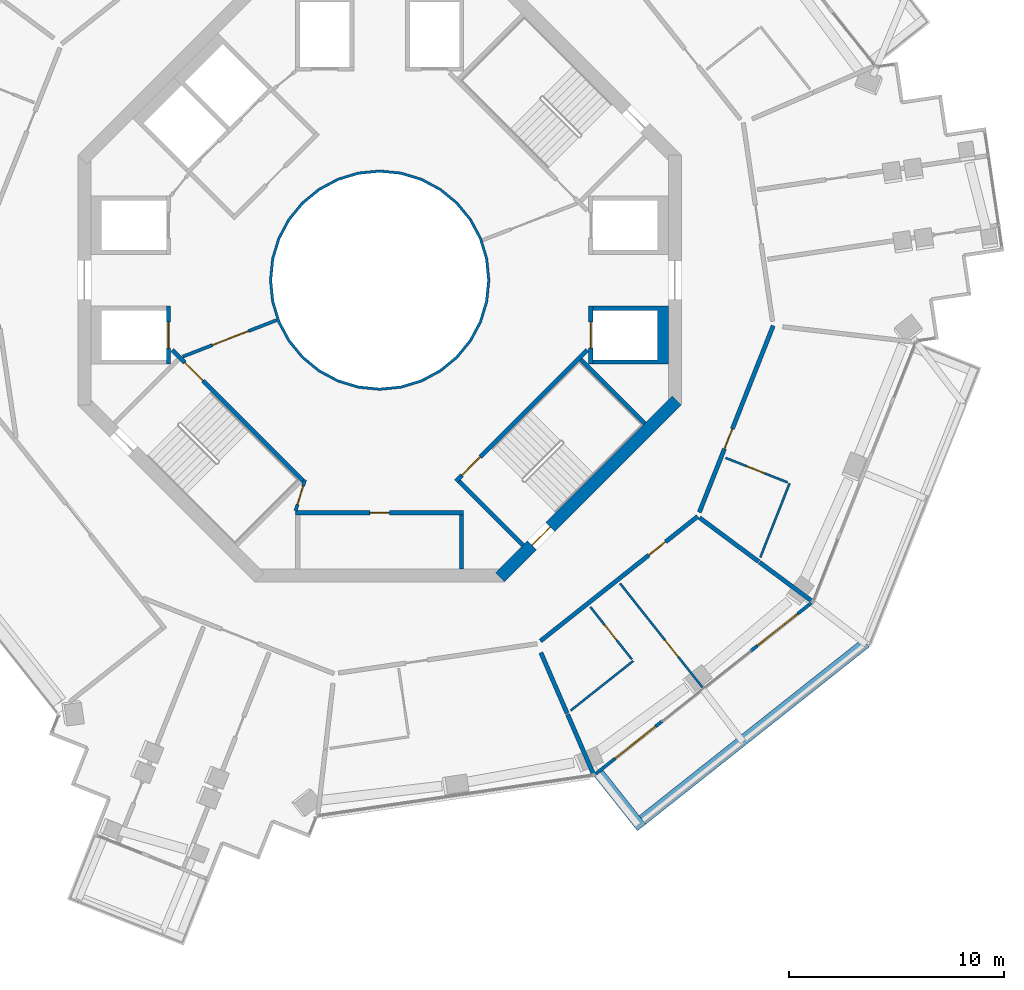
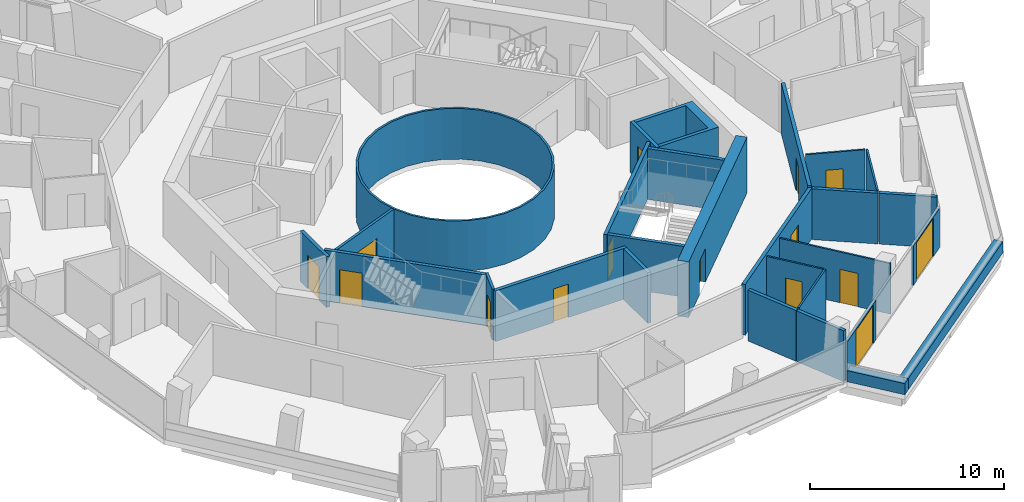
# One storey, part 15 of 21: 28 walls, 15 doors, 15 openings.
"""IFC4 building model written with IfcOpenShell, lengths in metres."""

import ifcopenshell
import ifcopenshell.guid

model = None  # the IFC model being written
_history = None  # IfcOwnerHistory: only IFC2X3 demands one
_inside = {}  # id of a spatial element -> (the spatial element, [elements in it])
_under = {}  # id of a project, library or spatial element -> (it, [spatial elements below it])
_declared = {}  # id of a project -> (the project, [libraries it declares])
_typed = {}  # id of a type object -> (the type object, [elements of that type])
_made_of = {}  # id of a material, layer set ... -> (it, [elements and type objects made of it])


def new_model(schema):
    """Start an empty IFC model of exactly this schema.

    Asked for "IFC4X3", IfcOpenShell would pick the latest addendum, in which some entities
    have other attributes; the version numbers below select the first issue.
    IFC2X3 requires an IfcOwnerHistory on every rooted entity: one is made here for all.
    """
    global model, _history
    if schema == "IFC4X3":
        model = ifcopenshell.file(schema_version=(4, 3, 0, 0))
    else:
        model = ifcopenshell.file(schema=schema)
    _inside.clear()
    _under.clear()
    _declared.clear()
    _typed.clear()
    _made_of.clear()
    _history = None
    if model.schema == "IFC2X3":
        org = make("IfcOrganization", Name="unknown")
        user = make(
            "IfcPersonAndOrganization",
            ThePerson=make("IfcPerson", FamilyName="unknown"),
            TheOrganization=org,
        )
        app = make(
            "IfcApplication",
            ApplicationDeveloper=org,
            Version="unknown",
            ApplicationFullName="unknown",
            ApplicationIdentifier="unknown",
        )
        _history = make(
            "IfcOwnerHistory",
            OwningUser=user,
            OwningApplication=app,
            ChangeAction="ADDED",
            CreationDate=0,
        )
    return model


def make(cls, **values):
    """One entity of the class cls with the attributes given. An attribute that is None is left unset."""
    return model.create_entity(
        cls, **{name: value for name, value in values.items() if value is not None}
    )


def rooted(cls, **values):
    """An entity with a GlobalId (a new one), such as an element, a storey or a relation."""
    return make(cls, GlobalId=ifcopenshell.guid.new(), OwnerHistory=_history, **values)


def si_unit(unit_type, name, prefix=None):
    """IfcSIUnit, for example si_unit("LENGTHUNIT", "METRE", prefix="MILLI")."""
    return make("IfcSIUnit", UnitType=unit_type, Prefix=prefix, Name=name)


def assignment(units):
    """IfcUnitAssignment: the units of a project."""
    return None if units is None else make("IfcUnitAssignment", Units=units)


def point(xyz):
    """IfcCartesianPoint."""
    return None if xyz is None else make("IfcCartesianPoint", Coordinates=xyz)


def direction(xyz):
    """IfcDirection."""
    return None if xyz is None else make("IfcDirection", DirectionRatios=xyz)


def frame(location, z_axis=None, x_axis=None):
    """IfcAxis2Placement3D, a coordinate frame: its origin and axes. An axis left out is left unset."""
    return make(
        "IfcAxis2Placement3D",
        Location=point(location),
        Axis=direction(z_axis),
        RefDirection=direction(x_axis),
    )


def frame_2d(location, x_axis=None):
    """IfcAxis2Placement2D, a coordinate frame in the plane: its origin and x axis."""
    return make(
        "IfcAxis2Placement2D", Location=point(location), RefDirection=direction(x_axis)
    )


def origin():
    """The frame at (0, 0, 0) with its axes left unset."""
    return frame((0.0, 0.0, 0.0))


def place(relative_to, where):
    """IfcLocalPlacement: puts the frame where relative to a parent placement (None: the world)."""
    return make(
        "IfcLocalPlacement", PlacementRelTo=relative_to, RelativePlacement=where
    )


def context(
    kind, dimensions, precision=None, world=None, true_north=None, identifier=None
):
    """IfcGeometricRepresentationContext, for example the 3D "Model" context."""
    return make(
        "IfcGeometricRepresentationContext",
        ContextIdentifier=identifier,
        ContextType=kind,
        CoordinateSpaceDimension=dimensions,
        Precision=precision,
        WorldCoordinateSystem=world,
        TrueNorth=true_north,
    )


def subcontext(parent, identifier, kind, view, scale=None):
    """IfcGeometricRepresentationSubContext, for example "Body" below "Model"."""
    return make(
        "IfcGeometricRepresentationSubContext",
        ContextIdentifier=identifier,
        ContextType=kind,
        ParentContext=parent,
        TargetScale=scale,
        TargetView=view,
    )


def project(units=None, contexts=None):
    """IfcProject with its units and contexts."""
    return rooted(
        "IfcProject",
        Name="project",
        RepresentationContexts=contexts,
        UnitsInContext=assignment(units),
    )


def spatial(cls, under=None, at=None, **own):
    """A site, building, storey or space (cls), placed at a placement, below another one or the project."""
    s = rooted(cls, ObjectPlacement=at, **own)
    if under is not None:
        _under.setdefault(under.id(), (under, []))[1].append(s)
    return s


def polyline(points):
    """IfcPolyline through the points."""
    return make("IfcPolyline", Points=[point(p) for p in points])


def profile(cls, at=None, kind="AREA", **sizes):
    """A parametric profile (cls). Its sizes go by their IFC names, for example OverallWidth=200.0."""
    return make(cls, ProfileType=kind, Position=at, **sizes)


def rectangle(**sizes):
    """IfcRectangleProfileDef."""
    return profile("IfcRectangleProfileDef", **sizes)


def outline(outer, holes=None, kind="AREA"):
    """IfcArbitraryClosedProfileDef: a profile drawn as a closed curve; with holes, ...WithVoids."""
    if holes is None:
        return make("IfcArbitraryClosedProfileDef", ProfileType=kind, OuterCurve=outer)
    return make(
        "IfcArbitraryProfileDefWithVoids",
        ProfileType=kind,
        OuterCurve=outer,
        InnerCurves=holes,
    )


def extrude(swept, where, along, depth):
    """IfcExtrudedAreaSolid: the profile swept, set in the frame where, extruded along a direction by depth."""
    return make(
        "IfcExtrudedAreaSolid",
        SweptArea=swept,
        Position=where,
        ExtrudedDirection=direction(along),
        Depth=depth,
    )


def shape(context_of_items, identifier, shape_type, items):
    """IfcShapeRepresentation: the items that make up one representation, for example the "Body"."""
    return make(
        "IfcShapeRepresentation",
        ContextOfItems=context_of_items,
        RepresentationIdentifier=identifier,
        RepresentationType=shape_type,
        Items=items,
    )


def material(Name=None, Category=None):
    """IfcMaterial."""
    return make("IfcMaterial", Name=Name, Category=Category)


def layer(
    of_material, thickness, ventilated=None, Name=None, Category=None, Priority=None
):
    """IfcMaterialLayer: one layer of a wall or slab, of a material (None: an air gap)."""
    return make(
        "IfcMaterialLayer",
        Material=of_material,
        LayerThickness=thickness,
        IsVentilated=ventilated,
        Name=Name,
        Category=Category,
        Priority=Priority,
    )


def layer_set(layers, Name=None):
    """IfcMaterialLayerSet."""
    return make("IfcMaterialLayerSet", MaterialLayers=layers, LayerSetName=Name)


def made_of(thing, what):
    """Note that an element or type object is made of a material, layer set ...; save() writes the relation."""
    if what is not None:
        _made_of.setdefault(what.id(), (what, []))[1].append(thing)
    return thing


def type_object(cls, material=None, **own):
    """A type object (cls), such as IfcWallType, which elements share."""
    return made_of(rooted(cls, **own), material)


def element(
    cls,
    number,
    at=None,
    inside=None,
    cuts=None,
    type_object=None,
    material=None,
    context=None,
    identifier="Body",
    shape_type=None,
    held_by="IfcProductDefinitionShape",
    body=None,
    shapes=None,
    **own,
):
    """One element of the class cls, such as IfcWall. Its Tag is "e" and its number.

    at: its placement. inside: the storey or other place that contains it. cuts: it is an
    opening in that element (IfcRelVoidsElement). A single representation is given by context,
    identifier, shape_type and body (its items); several are given by shapes. held_by: the class
    of the entity that holds the representations. save() writes the other relations.
    """
    e = rooted(cls, Tag="e%d" % number, ObjectPlacement=at, **own)
    if body is not None:
        shapes = [shape(context, identifier, shape_type, body)]
    if shapes is not None:
        e.Representation = make(held_by, Representations=shapes)
    if inside is not None:
        _inside.setdefault(inside.id(), (inside, []))[1].append(e)
    if cuts is not None:
        rooted(
            "IfcRelVoidsElement", RelatingBuildingElement=cuts, RelatedOpeningElement=e
        )
    if type_object is not None:
        _typed.setdefault(type_object.id(), (type_object, []))[1].append(e)
    return made_of(e, material)


def fill(opening, filler):
    """IfcRelFillsElement: the door or window that sits in an opening."""
    return rooted(
        "IfcRelFillsElement",
        RelatingOpeningElement=opening,
        RelatedBuildingElement=filler,
    )


def aggregate(whole, parts):
    """IfcRelAggregates: a whole, such as a stair, and the parts it consists of."""
    return rooted("IfcRelAggregates", RelatingObject=whole, RelatedObjects=parts)


def save(model, path):
    """Write the relations noted so far, then the file.

    IfcRelAggregates (storeys below a building ...), IfcRelContainedInSpatialStructure (elements
    in a storey), IfcRelDefinesByType, IfcRelAssociatesMaterial and IfcRelDeclares: one each for
    every whole, place, type object, material and project.
    """
    for whole, parts in _under.values():
        aggregate(whole, parts)
    for where, things in _inside.values():
        rooted(
            "IfcRelContainedInSpatialStructure",
            RelatedElements=things,
            RelatingStructure=where,
        )
    for kind, things in _typed.values():
        rooted("IfcRelDefinesByType", RelatedObjects=things, RelatingType=kind)
    for what, things in _made_of.values():
        rooted("IfcRelAssociatesMaterial", RelatedObjects=things, RelatingMaterial=what)
    for by, libraries in _declared.values():
        rooted("IfcRelDeclares", RelatingContext=by, RelatedDefinitions=libraries)
    model.write(path)


model = new_model("IFC4")

# Units and contexts
model_context = context("Model", 3, precision=1e-05, world=origin(), true_north=direction((0.0, 1.0)))
body_context = subcontext(model_context, "Body", "Model", "MODEL_VIEW")
ifc_project = project(units=[si_unit("LENGTHUNIT", "METRE"), si_unit("AREAUNIT", "SQUARE_METRE"), si_unit("VOLUMEUNIT", "CUBIC_METRE"), si_unit("PLANEANGLEUNIT", "RADIAN"), si_unit("MASSUNIT", "GRAM", prefix="KILO")], contexts=[model_context])

# Site, building, storey
site_placement = place(None, origin())
site = spatial("IfcSite", under=ifc_project, at=site_placement, CompositionType="ELEMENT")
building_placement = place(site_placement, origin())
building = spatial("IfcBuilding", under=site, at=building_placement, Name="Verdalira Terraces Hotel", CompositionType="ELEMENT")
storey_placement = place(building_placement, frame((0.0, 0.0, 190.5)))
storey = spatial("IfcBuildingStorey", under=building, at=storey_placement, Name="L46", CompositionType="ELEMENT", Elevation=190.5)

# Walls
ifc_material_1 = material(Name="Fire-resisting glass EI 180", Category="glass")
ifc_layer_1 = layer(ifc_material_1, 0.1201171875)
ifc_layer_set_1 = layer_set([ifc_layer_1], Name="Atrium fire screen 120 mm")
wall_type_1 = type_object("IfcWallType", Name="Atrium fire screen 120 mm", PredefinedType="SOLIDWALL", material=ifc_layer_set_1)
wall_1_placement = place(storey_placement, origin())
element("IfcWall", 1, at=wall_1_placement, inside=storey, type_object=wall_type_1, Name="Atrium fire screen", PredefinedType="SOLIDWALL", context=body_context, shape_type="SweptSolid", body=[
    extrude(outline(polyline([(5.021484, -0.998779), (4.730225, -1.959229), (4.25708, -2.844482), (3.620361, -3.620361), (2.844482, -4.25708), (1.959229, -4.730225), (0.998779, -5.021484), (0.0, -5.120117), (-0.998779, -5.021484), (-1.959229, -4.730225), (-2.844482, -4.25708), (-3.620361, -3.620361), (-4.25708, -2.844482), (-4.730225, -1.959229), (-5.021484, -0.998779), (-5.120117, 0.0), (-5.021484, 0.998779), (-4.730225, 1.959229), (-4.25708, 2.844482), (-3.620361, 3.620361), (-2.844482, 4.25708), (-1.959229, 4.730225), (-0.998779, 5.021484), (0.0, 5.120117), (0.998779, 5.021484), (1.959229, 4.730225), (2.844482, 4.25708), (3.620361, 3.620361), (4.25708, 2.844482), (4.730225, 1.959229), (5.021484, 0.998779), (5.120117, 0.0), (5.021484, -0.998779)]), holes=[polyline([(4.903809, 0.975586), (4.619385, 1.91333), (4.157227, 2.777832), (3.5354, 3.5354), (2.777832, 4.157227), (1.91333, 4.619385), (0.975586, 4.903809), (0.0, 5.0), (-0.975586, 4.903809), (-1.91333, 4.619385), (-2.777832, 4.157227), (-3.5354, 3.5354), (-4.157227, 2.777832), (-4.619385, 1.91333), (-4.903809, 0.975586), (-5.0, 0.0), (-4.903809, -0.975586), (-4.619385, -1.91333), (-4.157227, -2.777832), (-3.5354, -3.5354), (-2.777832, -4.157227), (-1.91333, -4.619385), (-0.975586, -4.903809), (0.0, -5.0), (0.975586, -4.903809), (1.91333, -4.619385), (2.777832, -4.157227), (3.5354, -3.5354), (4.157227, -2.777832), (4.619385, -1.91333), (4.903809, -0.975586), (5.0, 0.0), (4.903809, 0.975586)])]), origin(), (0.0, 0.0, 1.0), 3.189941),
])
ifc_material_2 = material(Name="Concrete C40", Category="concrete")
ifc_layer_2 = layer(ifc_material_2, 0.5)
ifc_layer_set_2 = layer_set([ifc_layer_2], Name="Balcony planter trough with tree")
wall_type_2 = type_object("IfcWallType", Name="Balcony planter trough with tree", PredefinedType="SOLIDWALL", material=ifc_layer_set_2)
wall_2_placement = place(storey_placement, frame((10.170654, -22.894043, 0.0), z_axis=(0.0, 0.0, 1.0), x_axis=(0.621142666, -0.783697511, 0.0)))
element("IfcWall", 2, at=wall_2_placement, inside=storey, type_object=wall_type_2, Name="Balcony planter", PredefinedType="SOLIDWALL", context=body_context, shape_type="SweptSolid", body=[
    extrude(rectangle(XDim=3.198975, YDim=0.5, at=frame_2d((1.599609, 0.0))), origin(), (0.0, 0.0, 1.0), 0.699951),
])
wall_3_placement = place(storey_placement, frame((12.198242, -25.049805, 0.0), z_axis=(0.0, 0.0, 1.0), x_axis=(0.783694155, 0.6211469, 0.0)))
element("IfcWall", 3, at=wall_3_placement, inside=storey, type_object=wall_type_2, Name="Balcony planter", PredefinedType="SOLIDWALL", context=body_context, shape_type="SweptSolid", body=[
    extrude(rectangle(XDim=13.223389, YDim=0.5, at=frame_2d((6.611816, 0.0))), origin(), (0.0, 0.0, 1.0), 0.699951),
])
ifc_material_3 = material(Name="Moisture-resistant gypsum board partition")
ifc_layer_3 = layer(ifc_material_3, 0.10009765625)
ifc_layer_set_3 = layer_set([ifc_layer_3], Name="Bathroom partition 100 mm")
wall_type_3 = type_object("IfcWallType", Name="Bathroom partition 100 mm", PredefinedType="PARTITIONING", material=ifc_layer_set_3)
wall_4_placement = place(storey_placement, frame((8.861816, -19.974609, 0.0), z_axis=(0.0, 0.0, 1.0), x_axis=(0.783664748, 0.621184001, 0.0)))
element("IfcWall", 4, at=wall_4_placement, inside=storey, type_object=wall_type_3, Name="Bathroom partition", PredefinedType="PARTITIONING", context=body_context, shape_type="SweptSolid", body=[
    extrude(rectangle(XDim=3.703857, YDim=0.100098, at=frame_2d((1.852051, 0.0))), origin(), (0.0, 0.0, 1.0), 3.189941),
])

# Wall, opening, door
wall_5_placement = place(storey_placement, frame((11.702393, -17.595459, 0.0), z_axis=(0.0, 0.0, 1.0), x_axis=(-0.621144616, 0.783695965, 0.0)))
wall_5 = element("IfcWall", 5, at=wall_5_placement, inside=storey, type_object=wall_type_3, Name="Bathroom partition", PredefinedType="PARTITIONING", context=body_context, shape_type="SweptSolid", body=[
    extrude(rectangle(XDim=3.100098, YDim=0.100098, at=frame_2d((1.550049, 0.0))), origin(), (0.0, 0.0, 1.0), 3.189941),
])
opening_1_placement = place(wall_5_placement, frame((1.149902, 0.0, 0.0)))
opening_1 = element("IfcOpeningElement", 6, at=opening_1_placement, cuts=wall_5, Name="Opening L46-115", PredefinedType="OPENING", context=body_context, shape_type="SweptSolid", body=[
    extrude(rectangle(XDim=0.899902, YDim=2.100098, at=frame_2d((0.449951, 1.050049))), frame((0.0, 0.060059, 0.0), z_axis=(0.0, -1.0, 0.0), x_axis=(1.0, 0.0, 0.0)), (0.0, 0.0, 1.0), 0.120117),
])
ifc_material_4 = material(Name="Timber door", Category="wood")
door_type_1 = type_object("IfcDoorType", Name="Bathroom door 900 x 2100", OperationType="NOTDEFINED", PredefinedType="DOOR", material=ifc_material_4)
door_1_placement = place(opening_1_placement, origin())
door_1 = element("IfcDoor", 7, at=door_1_placement, inside=storey, type_object=door_type_1, Name="Bathroom door 4606", OperationType="SINGLE_SWING_LEFT", OverallHeight=2.10009765625, OverallWidth=0.89990234375, PredefinedType="DOOR", context=body_context, shape_type="SweptSolid", body=[
    extrude(rectangle(XDim=0.899902, YDim=2.100098, at=frame_2d((0.449951, 1.050049))), frame((0.0, 0.024902, 0.0), z_axis=(0.0, -1.0, 0.0), x_axis=(1.0, 0.0, 0.0)), (0.0, 0.0, 1.0), 0.050049),
])
fill(opening_1, door_1)

wall_6_placement = place(storey_placement, frame((14.974854, -18.893555, 0.0), z_axis=(0.0, 0.0, 1.0), x_axis=(-0.621140066, 0.783699571, 0.0)))
wall_6 = element("IfcWall", 8, at=wall_6_placement, inside=storey, type_object=wall_type_3, Name="Bathroom partition", PredefinedType="PARTITIONING", context=body_context, shape_type="SweptSolid", body=[
    extrude(rectangle(XDim=6.150146, YDim=0.100098, at=frame_2d((3.075195, 0.0))), origin(), (0.0, 0.0, 1.0), 3.189941),
])
opening_2_placement = place(wall_6_placement, frame((1.800049, 0.0, 0.0)))
opening_2 = element("IfcOpeningElement", 9, at=opening_2_placement, cuts=wall_6, Name="Opening L46-114", PredefinedType="OPENING", context=body_context, shape_type="SweptSolid", body=[
    extrude(rectangle(XDim=1.0, YDim=2.100098, at=frame_2d((0.5, 1.050049))), frame((0.0, 0.060059, 0.0), z_axis=(0.0, -1.0, 0.0), x_axis=(1.0, 0.0, 0.0)), (0.0, 0.0, 1.0), 0.120117),
])
ifc_material_5 = material(Name="Timber door", Category="wood")
door_type_2 = type_object("IfcDoorType", Name="Suite internal door 1000 x 2100", OperationType="NOTDEFINED", PredefinedType="DOOR", material=ifc_material_5)
door_2_placement = place(opening_2_placement, origin())
door_2 = element("IfcDoor", 10, at=door_2_placement, inside=storey, type_object=door_type_2, Name="Suite internal door 4606", OperationType="SINGLE_SWING_LEFT", OverallHeight=2.10009765625, OverallWidth=1.0, PredefinedType="DOOR", context=body_context, shape_type="SweptSolid", body=[
    extrude(rectangle(XDim=1.0, YDim=2.100098, at=frame_2d((0.5, 1.050049))), frame((0.0, 0.024902, 0.0), z_axis=(0.0, -1.0, 0.0), x_axis=(1.0, 0.0, 0.0)), (0.0, 0.0, 1.0), 0.050049),
])
fill(opening_2, door_2)

wall_7_placement = place(storey_placement, frame((18.932373, -9.386963, 0.0), z_axis=(0.0, 0.0, 1.0), x_axis=(-0.929795945, 0.3680754, 0.0)))
wall_7 = element("IfcWall", 11, at=wall_7_placement, inside=storey, type_object=wall_type_3, Name="Bathroom partition", PredefinedType="PARTITIONING", context=body_context, shape_type="SweptSolid", body=[
    extrude(rectangle(XDim=3.100098, YDim=0.100098, at=frame_2d((1.550049, 0.0))), origin(), (0.0, 0.0, 1.0), 3.189941),
])
opening_3_placement = place(wall_7_placement, frame((1.149902, 0.0, 0.0)))
opening_3 = element("IfcOpeningElement", 12, at=opening_3_placement, cuts=wall_7, Name="Opening L46-117", PredefinedType="OPENING", context=body_context, shape_type="SweptSolid", body=[
    extrude(rectangle(XDim=0.899902, YDim=2.100098, at=frame_2d((0.449951, 1.050049))), frame((0.0, 0.060059, 0.0), z_axis=(0.0, -1.0, 0.0), x_axis=(1.0, 0.0, 0.0)), (0.0, 0.0, 1.0), 0.120117),
])
door_3_placement = place(opening_3_placement, origin())
door_3 = element("IfcDoor", 13, at=door_3_placement, inside=storey, type_object=door_type_1, Name="Bathroom door 4607", OperationType="SINGLE_SWING_LEFT", OverallHeight=2.10009765625, OverallWidth=0.89990234375, PredefinedType="DOOR", context=body_context, shape_type="SweptSolid", body=[
    extrude(rectangle(XDim=0.899902, YDim=2.100098, at=frame_2d((0.449951, 1.050049))), frame((0.0, 0.024902, 0.0), z_axis=(0.0, -1.0, 0.0), x_axis=(1.0, 0.0, 0.0)), (0.0, 0.0, 1.0), 0.050049),
])
fill(opening_3, door_3)

# Walls
wall_8_placement = place(storey_placement, frame((19.025146, -9.423828, 0.0), z_axis=(0.0, 0.0, 1.0), x_axis=(-0.368126804, -0.929775595, 0.0)))
element("IfcWall", 14, at=wall_8_placement, inside=storey, type_object=wall_type_3, Name="Bathroom partition", PredefinedType="PARTITIONING", context=body_context, shape_type="SweptSolid", body=[
    extrude(rectangle(XDim=3.703857, YDim=0.100098, at=frame_2d((1.852051, 0.0))), origin(), (0.0, 0.0, 1.0), 3.189941),
])
ifc_material_6 = material(Name="Concrete C50", Category="concrete")
ifc_layer_4 = layer(ifc_material_6, 0.199951171875)
ifc_layer_set_4 = layer_set([ifc_layer_4], Name="Core RC wall 200 C50")
wall_type_4 = type_object("IfcWallType", Name="Core RC wall 200 C50", PredefinedType="SOLIDWALL", material=ifc_layer_set_4)
wall_9_placement = place(storey_placement, origin())
element("IfcWall", 15, at=wall_9_placement, inside=storey, type_object=wall_type_4, Name="L46 shaft wall E1", PredefinedType="SOLIDWALL", context=body_context, shape_type="SweptSolid", body=[
    extrude(outline(polyline([(13.399902, -3.899902), (9.899902, -3.899902), (9.899902, -3.699951), (12.899902, -3.699951), (12.899902, -1.399902), (9.899902, -1.399902), (9.899902, -1.199951), (13.399902, -1.199951), (13.399902, -3.899902)])), origin(), (0.0, 0.0, 1.0), 3.189941),
])

# Wall, opening, door
wall_10_placement = place(storey_placement, frame((9.800049, -1.199951, 0.0), z_axis=(0.0, 0.0, 1.0), x_axis=(0.0, -1.0, 0.0)))
wall_10 = element("IfcWall", 16, at=wall_10_placement, inside=storey, type_object=wall_type_4, Name="L46 shaft front wall E1", PredefinedType="SOLIDWALL", context=body_context, shape_type="SweptSolid", body=[
    extrude(rectangle(XDim=2.699951, YDim=0.199951, at=frame_2d((1.350098, 0.0))), origin(), (0.0, 0.0, 1.0), 3.189941),
])
opening_4_placement = place(wall_10_placement, frame((0.75, 0.0, 0.0)))
opening_4 = element("IfcOpeningElement", 17, at=opening_4_placement, cuts=wall_10, Name="Opening LD-L46-802", PredefinedType="OPENING", context=body_context, shape_type="SweptSolid", body=[
    extrude(rectangle(XDim=1.199951, YDim=2.100098, at=frame_2d((0.600098, 1.050049))), frame((0.0, 0.109863, 0.0), z_axis=(0.0, -1.0, 0.0), x_axis=(1.0, 0.0, 0.0)), (0.0, 0.0, 1.0), 0.219971),
])
ifc_material_7 = material(Name="Stainless steel", Category="steel")
door_type_3 = type_object("IfcDoorType", Name="Landing door 1200 x 2100", OperationType="NOTDEFINED", PredefinedType="DOOR", material=ifc_material_7)
door_4_placement = place(opening_4_placement, origin())
door_4 = element("IfcDoor", 18, at=door_4_placement, inside=storey, type_object=door_type_3, Name="Lift landing door HR1 L46", OperationType="DOUBLE_DOOR_SLIDING", OverallHeight=2.10009765625, OverallWidth=1.199951171875, PredefinedType="DOOR", context=body_context, shape_type="SweptSolid", body=[
    extrude(rectangle(XDim=1.199951, YDim=2.100098, at=frame_2d((0.600098, 1.050049))), frame((0.0, 0.024902, 0.0), z_axis=(0.0, -1.0, 0.0), x_axis=(1.0, 0.0, 0.0)), (0.0, 0.0, 1.0), 0.050049),
])
fill(opening_4, door_4)

wall_11_placement = place(storey_placement, frame((-9.800049, -1.199951, 0.0), z_axis=(0.0, 0.0, 1.0), x_axis=(0.0, -1.0, 0.0)))
wall_11 = element("IfcWall", 19, at=wall_11_placement, inside=storey, type_object=wall_type_4, Name="L46 shaft front wall W2", PredefinedType="SOLIDWALL", context=body_context, shape_type="SweptSolid", body=[
    extrude(rectangle(XDim=2.699951, YDim=0.199951, at=frame_2d((1.350098, 0.0))), origin(), (0.0, 0.0, 1.0), 3.189941),
])
opening_5_placement = place(wall_11_placement, frame((0.75, 0.0, 0.0)))
opening_5 = element("IfcOpeningElement", 20, at=opening_5_placement, cuts=wall_11, Name="Opening LD-L46-807", PredefinedType="OPENING", context=body_context, shape_type="SweptSolid", body=[
    extrude(rectangle(XDim=1.199951, YDim=2.100098, at=frame_2d((0.600098, 1.050049))), frame((0.0, 0.109863, 0.0), z_axis=(0.0, -1.0, 0.0), x_axis=(1.0, 0.0, 0.0)), (0.0, 0.0, 1.0), 0.219971),
])
door_5_placement = place(opening_5_placement, origin())
door_5 = element("IfcDoor", 21, at=door_5_placement, inside=storey, type_object=door_type_3, Name="Lift landing door HR6 L46", OperationType="DOUBLE_DOOR_SLIDING", OverallHeight=2.10009765625, OverallWidth=1.199951171875, PredefinedType="DOOR", context=body_context, shape_type="SweptSolid", body=[
    extrude(rectangle(XDim=1.199951, YDim=2.100098, at=frame_2d((0.600098, 1.050049))), frame((0.0, 0.024902, 0.0), z_axis=(0.0, -1.0, 0.0), x_axis=(1.0, 0.0, 0.0)), (0.0, 0.0, 1.0), 0.050049),
])
fill(opening_5, door_5)

wall_12_placement = place(storey_placement, frame((-3.899902, -10.800049, 0.0), z_axis=(0.0, 0.0, 1.0), x_axis=(1.0, 0.0, 0.0)))
wall_12 = element("IfcWall", 22, at=wall_12_placement, inside=storey, type_object=wall_type_4, Name="L46 store front wall", PredefinedType="SOLIDWALL", context=body_context, shape_type="SweptSolid", body=[
    extrude(rectangle(XDim=7.799805, YDim=0.199951, at=frame_2d((3.899902, 0.0))), origin(), (0.0, 0.0, 1.0), 3.189941),
])
opening_6_placement = place(wall_12_placement, frame((3.449951, 0.0, 0.0)))
opening_6 = element("IfcOpeningElement", 23, at=opening_6_placement, cuts=wall_12, Name="Opening L46-801", PredefinedType="OPENING", context=body_context, shape_type="SweptSolid", body=[
    extrude(rectangle(XDim=0.899902, YDim=2.100098, at=frame_2d((0.449951, 1.050049))), frame((0.0, 0.109863, 0.0), z_axis=(0.0, -1.0, 0.0), x_axis=(1.0, 0.0, 0.0)), (0.0, 0.0, 1.0), 0.219971),
])
ifc_material_8 = material(Name="Steel fire door", Category="steel")
door_type_4 = type_object("IfcDoorType", Name="Core room door 900 x 2100", OperationType="NOTDEFINED", PredefinedType="DOOR", material=ifc_material_8)
door_6_placement = place(opening_6_placement, origin())
door_6 = element("IfcDoor", 24, at=door_6_placement, inside=storey, type_object=door_type_4, Name="Store door L46 SS", OperationType="SINGLE_SWING_LEFT", OverallHeight=2.10009765625, OverallWidth=0.89990234375, PredefinedType="DOOR", context=body_context, shape_type="SweptSolid", body=[
    extrude(rectangle(XDim=0.899902, YDim=2.100098, at=frame_2d((0.449951, 1.050049))), frame((0.0, 0.024902, 0.0), z_axis=(0.0, -1.0, 0.0), x_axis=(1.0, 0.0, 0.0)), (0.0, 0.0, 1.0), 0.050049),
])
fill(opening_6, door_6)

# Wall
wall_13_placement = place(storey_placement, frame((3.800049, -10.899902, 0.0), z_axis=(0.0, 0.0, 1.0), x_axis=(0.0, -1.0, 0.0)))
element("IfcWall", 25, at=wall_13_placement, inside=storey, type_object=wall_type_4, Name="L46 store side wall", PredefinedType="SOLIDWALL", context=body_context, shape_type="SweptSolid", body=[
    extrude(rectangle(XDim=2.5, YDim=0.199951, at=frame_2d((1.25, 0.0))), origin(), (0.0, 0.0, 1.0), 3.189941),
])

# Wall, opening, door
wall_14_placement = place(storey_placement, frame((-3.5354, -9.33374, 0.0), z_axis=(0.0, 0.0, 1.0), x_axis=(-0.707120946, 0.707092617, 0.0)))
wall_14 = element("IfcWall", 26, at=wall_14_placement, inside=storey, type_object=wall_type_4, Name="L46 stair ST2 front wall", PredefinedType="SOLIDWALL", context=body_context, shape_type="SweptSolid", body=[
    extrude(rectangle(XDim=8.61792, YDim=0.199951, at=frame_2d((4.309082, 0.0))), origin(), (0.0, 0.0, 1.0), 3.189941),
])
opening_7_placement = place(wall_14_placement, frame((6.600098, 0.0, 0.0)))
opening_7 = element("IfcOpeningElement", 27, at=opening_7_placement, cuts=wall_14, Name="Opening L46-811", PredefinedType="OPENING", context=body_context, shape_type="SweptSolid", body=[
    extrude(rectangle(XDim=1.199951, YDim=2.100098, at=frame_2d((0.600098, 1.050049))), frame((0.0, 0.109863, 0.0), z_axis=(0.0, -1.0, 0.0), x_axis=(1.0, 0.0, 0.0)), (0.0, 0.0, 1.0), 0.219971),
])
ifc_material_9 = material(Name="Steel fire door", Category="steel")
door_type_5 = type_object("IfcDoorType", Name="Stair door 1200 x 2100", OperationType="NOTDEFINED", PredefinedType="DOOR", material=ifc_material_9)
door_7_placement = place(opening_7_placement, origin())
door_7 = element("IfcDoor", 28, at=door_7_placement, inside=storey, type_object=door_type_5, Name="Stair door ST2 L46", OperationType="SINGLE_SWING_RIGHT", OverallHeight=2.10009765625, OverallWidth=1.199951171875, PredefinedType="DOOR", context=body_context, shape_type="SweptSolid", body=[
    extrude(rectangle(XDim=1.199951, YDim=2.100098, at=frame_2d((0.600098, 1.050049))), frame((0.0, 0.024902, 0.0), z_axis=(0.0, -1.0, 0.0), x_axis=(1.0, 0.0, 0.0)), (0.0, 0.0, 1.0), 0.050049),
])
fill(opening_7, door_7)

wall_15_placement = place(storey_placement, frame((9.629395, -3.23999, 0.0), z_axis=(0.0, 0.0, 1.0), x_axis=(-0.707120946, -0.707092617, 0.0)))
wall_15 = element("IfcWall", 29, at=wall_15_placement, inside=storey, type_object=wall_type_4, Name="L46 stair ST3 front wall", PredefinedType="SOLIDWALL", context=body_context, shape_type="SweptSolid", body=[
    extrude(rectangle(XDim=8.61792, YDim=0.199951, at=frame_2d((4.309082, 0.0))), origin(), (0.0, 0.0, 1.0), 3.189941),
])
opening_8_placement = place(wall_15_placement, frame((7.017822, 0.0, 0.0)))
opening_8 = element("IfcOpeningElement", 30, at=opening_8_placement, cuts=wall_15, Name="Opening L46-812", PredefinedType="OPENING", context=body_context, shape_type="SweptSolid", body=[
    extrude(rectangle(XDim=1.199951, YDim=2.100098, at=frame_2d((0.600098, 1.050049))), frame((0.0, 0.109863, 0.0), z_axis=(0.0, -1.0, 0.0), x_axis=(1.0, 0.0, 0.0)), (0.0, 0.0, 1.0), 0.219971),
])
door_8_placement = place(opening_8_placement, origin())
door_8 = element("IfcDoor", 31, at=door_8_placement, inside=storey, type_object=door_type_5, Name="Stair door ST3 L46", OperationType="SINGLE_SWING_RIGHT", OverallHeight=2.10009765625, OverallWidth=1.199951171875, PredefinedType="DOOR", context=body_context, shape_type="SweptSolid", body=[
    extrude(rectangle(XDim=1.199951, YDim=2.100098, at=frame_2d((0.600098, 1.050049))), frame((0.0, 0.024902, 0.0), z_axis=(0.0, -1.0, 0.0), x_axis=(1.0, 0.0, 0.0)), (0.0, 0.0, 1.0), 0.050049),
])
fill(opening_8, door_8)

# Walls
for number, where, z_axis, x_axis, name in (
    (32, (3.677002, -9.33374, 0.0), (0.0, 0.0, 1.0), (0.707077716, -0.707135845, 0.0), "L46 stair ST3 end wall 1"),
    (33, (9.33374, -3.677002, 0.0), (0.0, 0.0, 1.0), (0.707135845, -0.707077716, 0.0), "L46 stair ST3 end wall 2"),
):
    element("IfcWall", number, at=place(storey_placement, frame(where, z_axis=z_axis, x_axis=x_axis)), inside=storey, type_object=wall_type_4, Name=name, PredefinedType="SOLIDWALL", context=body_context, shape_type="SweptSolid", body=[
        extrude(rectangle(XDim=4.199951, YDim=0.199951, at=frame_2d((2.100098, 0.0))), origin(), (0.0, 0.0, 1.0), 3.189941),
    ])

# Wall, opening, door
ifc_material_10 = material(Name="Gypsum board partition")
ifc_layer_5 = layer(ifc_material_10, 0.14990234375)
ifc_layer_set_5 = layer_set([ifc_layer_5], Name="Core partition 150 mm")
wall_type_5 = type_object("IfcWallType", Name="Core partition 150 mm", PredefinedType="PARTITIONING", material=ifc_layer_set_5)
wall_16_placement = place(storey_placement, frame((-3.464844, -9.263184, 0.0), z_axis=(0.0, 0.0, 1.0), x_axis=(-0.289808785, -0.957084567, 0.0)))
wall_16 = element("IfcWall", 34, at=wall_16_placement, inside=storey, type_object=wall_type_5, Name="Room partition L46", PredefinedType="PARTITIONING", context=body_context, shape_type="SweptSolid", body=[
    extrude(rectangle(XDim=1.501221, YDim=0.149902, at=frame_2d((0.750488, 0.0))), origin(), (0.0, 0.0, 1.0), 3.189941),
])
opening_9_placement = place(wall_16_placement, frame((0.300781, 0.0, 0.0)))
opening_9 = element("IfcOpeningElement", 35, at=opening_9_placement, cuts=wall_16, Name="Opening L46-822", PredefinedType="OPENING", context=body_context, shape_type="SweptSolid", body=[
    extrude(rectangle(XDim=0.899902, YDim=2.100098, at=frame_2d((0.449951, 1.050049))), frame((0.0, 0.084961, 0.0), z_axis=(0.0, -1.0, 0.0), x_axis=(1.0, 0.0, 0.0)), (0.0, 0.0, 1.0), 0.169922),
])
door_9_placement = place(opening_9_placement, origin())
door_9 = element("IfcDoor", 36, at=door_9_placement, inside=storey, type_object=door_type_4, Name="Door L46 room5", OperationType="SINGLE_SWING_LEFT", OverallHeight=2.10009765625, OverallWidth=0.89990234375, PredefinedType="DOOR", context=body_context, shape_type="SweptSolid", body=[
    extrude(rectangle(XDim=0.899902, YDim=2.100098, at=frame_2d((0.449951, 1.050049))), frame((0.0, 0.024902, 0.0), z_axis=(0.0, -1.0, 0.0), x_axis=(1.0, 0.0, 0.0)), (0.0, 0.0, 1.0), 0.050049),
])
fill(opening_9, door_9)

wall_17_placement = place(storey_placement, frame((-4.781982, -1.857178, 0.0), z_axis=(0.0, 0.0, 1.0), x_axis=(-0.932157474, -0.362053096, 0.0)))
wall_17 = element("IfcWall", 37, at=wall_17_placement, inside=storey, type_object=wall_type_5, Name="Gallery fire partition L46", PredefinedType="PARTITIONING", context=body_context, shape_type="SweptSolid", body=[
    extrude(rectangle(XDim=4.675049, YDim=0.149902, at=frame_2d((2.337402, 0.0))), origin(), (0.0, 0.0, 1.0), 3.189941),
])
opening_10_placement = place(wall_17_placement, frame((1.399902, 0.0, 0.0)))
opening_10 = element("IfcOpeningElement", 38, at=opening_10_placement, cuts=wall_17, Name="Opening L46-824", PredefinedType="OPENING", context=body_context, shape_type="SweptSolid", body=[
    extrude(rectangle(XDim=1.800049, YDim=2.100098, at=frame_2d((0.899902, 1.050049))), frame((0.0, 0.084961, 0.0), z_axis=(0.0, -1.0, 0.0), x_axis=(1.0, 0.0, 0.0)), (0.0, 0.0, 1.0), 0.169922),
])
ifc_material_11 = material(Name="Steel fire door", Category="steel")
door_type_6 = type_object("IfcDoorType", Name="Gallery fire door pair 1800 x 2100", OperationType="NOTDEFINED", PredefinedType="DOOR", material=ifc_material_11)
door_10_placement = place(opening_10_placement, origin())
door_10 = element("IfcDoor", 39, at=door_10_placement, inside=storey, type_object=door_type_6, Name="Door L46 split4", OperationType="DOUBLE_DOOR_SINGLE_SWING", OverallHeight=2.10009765625, OverallWidth=1.800048828125, PredefinedType="DOOR", context=body_context, shape_type="SweptSolid", body=[
    extrude(rectangle(XDim=1.800049, YDim=2.100098, at=frame_2d((0.899902, 1.050049))), frame((0.0, 0.024902, 0.0), z_axis=(0.0, -1.0, 0.0), x_axis=(1.0, 0.0, 0.0)), (0.0, 0.0, 1.0), 0.050049),
])
fill(opening_10, door_10)

ifc_material_12 = material(Name="Concrete C60", Category="concrete")
ifc_layer_6 = layer(ifc_material_12, 0.60009765625)
ifc_layer_set_6 = layer_set([ifc_layer_6], Name="Core wall 600 C60")
wall_type_6 = type_object("IfcWallType", Name="Core wall 600 C60", PredefinedType="SHEAR", material=ifc_layer_set_6)
wall_18_placement = place(storey_placement, frame((5.586914, -13.787842, 0.0), z_axis=(0.0, 0.0, 1.0), x_axis=(0.707106781, 0.707106781, 0.0)))
wall_18 = element("IfcWall", 40, at=wall_18_placement, inside=storey, type_object=wall_type_6, Name="Core wall CW-L46-8", PredefinedType="SHEAR", context=body_context, shape_type="SweptSolid", body=[
    extrude(rectangle(XDim=11.5979, YDim=0.600098, at=frame_2d((5.798828, 0.0))), origin(), (0.0, 0.0, 1.0), 3.5),
])
opening_11_placement = place(wall_18_placement, frame((2.099121, 0.0, 0.0)))
opening_11 = element("IfcOpeningElement", 41, at=opening_11_placement, cuts=wall_18, Name="Opening L46-818", PredefinedType="OPENING", context=body_context, shape_type="SweptSolid", body=[
    extrude(rectangle(XDim=1.199951, YDim=2.100098, at=frame_2d((0.600098, 1.050049))), frame((0.0, 0.310059, 0.0), z_axis=(0.0, -1.0, 0.0), x_axis=(1.0, 0.0, 0.0)), (0.0, 0.0, 1.0), 0.620117),
])
door_11_placement = place(opening_11_placement, origin())
door_11 = element("IfcDoor", 42, at=door_11_placement, inside=storey, type_object=door_type_5, Name="Stair exit door ST3 L46", OperationType="SINGLE_SWING_LEFT", OverallHeight=2.10009765625, OverallWidth=1.199951171875, PredefinedType="DOOR", context=body_context, shape_type="SweptSolid", body=[
    extrude(rectangle(XDim=1.199951, YDim=2.100098, at=frame_2d((0.600098, 1.050049))), frame((0.0, 0.024902, 0.0), z_axis=(0.0, -1.0, 0.0), x_axis=(1.0, 0.0, 0.0)), (0.0, 0.0, 1.0), 0.050049),
])
fill(opening_11, door_11)

# Walls
ifc_material_13 = material(Name="Fire-rated gypsum board wall")
ifc_layer_7 = layer(ifc_material_13, 0.199951171875)
ifc_layer_set_7 = layer_set([ifc_layer_7], Name="Demising wall 200 mm")
wall_type_7 = type_object("IfcWallType", Name="Demising wall 200 mm", PredefinedType="SOLIDWALL", material=ifc_layer_set_7)
wall_19_placement = place(storey_placement, frame((7.479004, -17.283203, 0.0), z_axis=(0.0, 0.0, 1.0), x_axis=(0.397175095, -0.917742853, 0.0)))
element("IfcWall", 43, at=wall_19_placement, inside=storey, type_object=wall_type_7, Name="Demising wall", PredefinedType="SOLIDWALL", context=body_context, shape_type="SweptSolid", body=[
    extrude(rectangle(XDim=3.074707, YDim=0.199951, at=frame_2d((1.537354, 0.0))), origin(), (0.0, 0.0, 1.0), 3.189941),
])
wall_20_placement = place(storey_placement, frame((8.718506, -20.147217, 0.0), z_axis=(0.0, 0.0, 1.0), x_axis=(0.39710682, -0.917772397, 0.0)))
element("IfcWall", 44, at=wall_20_placement, inside=storey, type_object=wall_type_7, Name="Demising wall", PredefinedType="SOLIDWALL", context=body_context, shape_type="SweptSolid", body=[
    extrude(rectangle(XDim=3.01123, YDim=0.199951, at=frame_2d((1.505615, 0.0))), origin(), (0.0, 0.0, 1.0), 3.189941),
])
wall_21_placement = place(storey_placement, frame((14.842773, -11.023193, 0.0), z_axis=(0.0, 0.0, 1.0), x_axis=(0.802827845, -0.596210911, 0.0)))
element("IfcWall", 45, at=wall_21_placement, inside=storey, type_object=wall_type_7, Name="Demising wall", PredefinedType="SOLIDWALL", context=body_context, shape_type="SweptSolid", body=[
    extrude(rectangle(XDim=3.418457, YDim=0.199951, at=frame_2d((1.709229, 0.0))), origin(), (0.0, 0.0, 1.0), 3.189941),
])
wall_22_placement = place(storey_placement, frame((17.624023, -13.088623, 0.0), z_axis=(0.0, 0.0, 1.0), x_axis=(0.802773785, -0.596283699, 0.0)))
element("IfcWall", 46, at=wall_22_placement, inside=storey, type_object=wall_type_7, Name="Demising wall", PredefinedType="SOLIDWALL", context=body_context, shape_type="SweptSolid", body=[
    extrude(rectangle(XDim=3.011475, YDim=0.199951, at=frame_2d((1.505859, 0.0))), origin(), (0.0, 0.0, 1.0), 3.189941),
])

# Wall, opening, door
ifc_material_14 = material(Name="Fire-rated gypsum board wall")
ifc_layer_8 = layer(ifc_material_14, 0.199951171875)
ifc_layer_set_8 = layer_set([ifc_layer_8], Name="Guest corridor wall 200 mm")
wall_type_8 = type_object("IfcWallType", Name="Guest corridor wall 200 mm", PredefinedType="SOLIDWALL", material=ifc_layer_set_8)
wall_23_placement = place(storey_placement, frame((14.759521, -10.961426, 0.0), z_axis=(0.0, 0.0, 1.0), x_axis=(-0.783683297, -0.621160599, 0.0)))
wall_23 = element("IfcWall", 47, at=wall_23_placement, inside=storey, type_object=wall_type_8, Name="Guest corridor wall", PredefinedType="SOLIDWALL", context=body_context, shape_type="SweptSolid", body=[
    extrude(rectangle(XDim=9.31665, YDim=0.199951, at=frame_2d((4.658203, 0.0))), origin(), (0.0, 0.0, 1.0), 3.189941),
])
opening_12_placement = place(wall_23_placement, frame((1.899902, 0.0, 0.0)))
opening_12 = element("IfcOpeningElement", 48, at=opening_12_placement, cuts=wall_23, Name="Opening L46-113", PredefinedType="OPENING", context=body_context, shape_type="SweptSolid", body=[
    extrude(rectangle(XDim=1.0, YDim=2.100098, at=frame_2d((0.5, 1.050049))), frame((0.0, 0.109863, 0.0), z_axis=(0.0, -1.0, 0.0), x_axis=(1.0, 0.0, 0.0)), (0.0, 0.0, 1.0), 0.219971),
])
ifc_material_15 = material(Name="Timber fire door", Category="wood")
door_type_7 = type_object("IfcDoorType", Name="Guest entry door 1000 x 2100", OperationType="NOTDEFINED", PredefinedType="DOOR", material=ifc_material_15)
door_12_placement = place(opening_12_placement, origin())
door_12 = element("IfcDoor", 49, at=door_12_placement, inside=storey, type_object=door_type_7, Name="Guest entry door 4606", OperationType="SINGLE_SWING_LEFT", OverallHeight=2.10009765625, OverallWidth=1.0, PredefinedType="DOOR", context=body_context, shape_type="SweptSolid", body=[
    extrude(rectangle(XDim=1.0, YDim=2.100098, at=frame_2d((0.5, 1.050049))), frame((0.0, 0.024902, 0.0), z_axis=(0.0, -1.0, 0.0), x_axis=(1.0, 0.0, 0.0)), (0.0, 0.0, 1.0), 0.050049),
])
fill(opening_12, door_12)

wall_24_placement = place(storey_placement, frame((18.262939, -2.113037, 0.0), z_axis=(0.0, 0.0, 1.0), x_axis=(-0.368126327, -0.929775783, 0.0)))
wall_24 = element("IfcWall", 50, at=wall_24_placement, inside=storey, type_object=wall_type_8, Name="Guest corridor wall", PredefinedType="SOLIDWALL", context=body_context, shape_type="SweptSolid", body=[
    extrude(rectangle(XDim=9.31665, YDim=0.199951, at=frame_2d((4.658203, 0.0))), origin(), (0.0, 0.0, 1.0), 3.189941),
])
opening_13_placement = place(wall_24_placement, frame((5.149902, 0.0, 0.0)))
opening_13 = element("IfcOpeningElement", 51, at=opening_13_placement, cuts=wall_24, Name="Opening L46-116", PredefinedType="OPENING", context=body_context, shape_type="SweptSolid", body=[
    extrude(rectangle(XDim=1.0, YDim=2.100098, at=frame_2d((0.5, 1.050049))), frame((0.0, 0.109863, 0.0), z_axis=(0.0, -1.0, 0.0), x_axis=(1.0, 0.0, 0.0)), (0.0, 0.0, 1.0), 0.219971),
])
door_13_placement = place(opening_13_placement, origin())
door_13 = element("IfcDoor", 52, at=door_13_placement, inside=storey, type_object=door_type_7, Name="Guest entry door 4607", OperationType="SINGLE_SWING_LEFT", OverallHeight=2.10009765625, OverallWidth=1.0, PredefinedType="DOOR", context=body_context, shape_type="SweptSolid", body=[
    extrude(rectangle(XDim=1.0, YDim=2.100098, at=frame_2d((0.5, 1.050049))), frame((0.0, 0.024902, 0.0), z_axis=(0.0, -1.0, 0.0), x_axis=(1.0, 0.0, 0.0)), (0.0, 0.0, 1.0), 0.050049),
])
fill(opening_13, door_13)

ifc_material_16 = material(Name="Terracotta cladding", Category="masonry")
ifc_layer_9 = layer(ifc_material_16, 0.14990234375)
ifc_layer_set_9 = layer_set([ifc_layer_9], Name="Terracotta door pier 150")
wall_type_9 = type_object("IfcWallType", Name="Terracotta door pier 150", PredefinedType="SOLIDWALL", material=ifc_layer_set_9)
wall_25_placement = place(storey_placement, frame((10.005859, -22.92749, 0.0), z_axis=(0.0, 0.0, 1.0), x_axis=(0.783712528, 0.621123718, 0.0)))
wall_25 = element("IfcWall", 53, at=wall_25_placement, inside=storey, type_object=wall_type_9, Name="Terracotta door pier", PredefinedType="SOLIDWALL", context=body_context, shape_type="SweptSolid", body=[
    extrude(rectangle(XDim=3.967285, YDim=0.149902, at=frame_2d((1.983643, 0.0))), origin(), (0.0, 0.0, 1.0), 2.475098),
])
opening_14_placement = place(wall_25_placement, frame((1.167236, 0.0, 0.0)))
opening_14 = element("IfcOpeningElement", 54, at=opening_14_placement, cuts=wall_25, Name="Opening L46-B07", PredefinedType="OPENING", context=body_context, shape_type="SweptSolid", body=[
    extrude(rectangle(XDim=2.399902, YDim=2.399902, at=frame_2d((1.199951, 1.199951))), frame((0.0, 0.084961, 0.0), z_axis=(0.0, -1.0, 0.0), x_axis=(1.0, 0.0, 0.0)), (0.0, 0.0, 1.0), 0.169922),
])
ifc_material_17 = material(Name="Clear glass", Category="glass")
door_type_8 = type_object("IfcDoorType", Name="Balcony sliding door 2400x2400", OperationType="NOTDEFINED", PredefinedType="DOOR", material=ifc_material_17)
door_14_placement = place(opening_14_placement, origin())
door_14 = element("IfcDoor", 55, at=door_14_placement, inside=storey, type_object=door_type_8, Name="Balcony sliding door", OperationType="SLIDING_TO_LEFT", OverallHeight=2.39990234375, OverallWidth=2.39990234375, PredefinedType="DOOR", context=body_context, shape_type="SweptSolid", body=[
    extrude(rectangle(XDim=2.399902, YDim=2.399902, at=frame_2d((1.199951, 1.199951))), frame((0.0, 0.024902, 0.0), z_axis=(0.0, -1.0, 0.0), x_axis=(1.0, 0.0, 0.0)), (0.0, 0.0, 1.0), 0.050049),
])
fill(opening_14, door_14)

wall_26_placement = place(storey_placement, frame((17.20874, -17.218506, 0.0), z_axis=(0.0, 0.0, 1.0), x_axis=(0.783705487, 0.621132603, 0.0)))
wall_26 = element("IfcWall", 56, at=wall_26_placement, inside=storey, type_object=wall_type_9, Name="Terracotta door pier", PredefinedType="SOLIDWALL", context=body_context, shape_type="SweptSolid", body=[
    extrude(rectangle(XDim=3.608643, YDim=0.149902, at=frame_2d((1.804199, 0.0))), origin(), (0.0, 0.0, 1.0), 2.475098),
])
opening_15_placement = place(wall_26_placement, frame((0.399902, 0.0, 0.0)))
opening_15 = element("IfcOpeningElement", 57, at=opening_15_placement, cuts=wall_26, Name="Opening L46-B08", PredefinedType="OPENING", context=body_context, shape_type="SweptSolid", body=[
    extrude(rectangle(XDim=2.399902, YDim=2.399902, at=frame_2d((1.199951, 1.199951))), frame((0.0, 0.084961, 0.0), z_axis=(0.0, -1.0, 0.0), x_axis=(1.0, 0.0, 0.0)), (0.0, 0.0, 1.0), 0.169922),
])
door_15_placement = place(opening_15_placement, origin())
door_15 = element("IfcDoor", 58, at=door_15_placement, inside=storey, type_object=door_type_8, Name="Balcony sliding door", OperationType="SLIDING_TO_RIGHT", OverallHeight=2.39990234375, OverallWidth=2.39990234375, PredefinedType="DOOR", context=body_context, shape_type="SweptSolid", body=[
    extrude(rectangle(XDim=2.399902, YDim=2.399902, at=frame_2d((1.199951, 1.199951))), frame((0.0, 0.024902, 0.0), z_axis=(0.0, -1.0, 0.0), x_axis=(1.0, 0.0, 0.0)), (0.0, 0.0, 1.0), 0.050049),
])
fill(opening_15, door_15)

save(model, "model.ifc")
